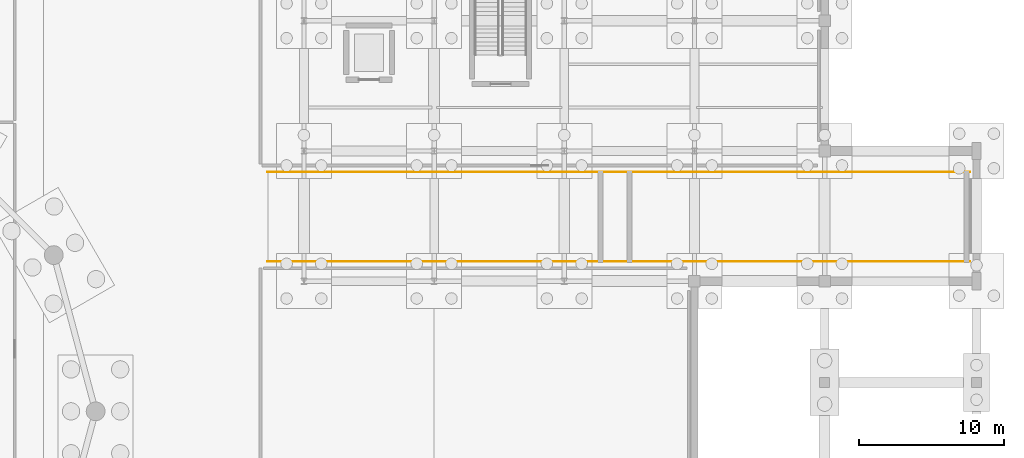
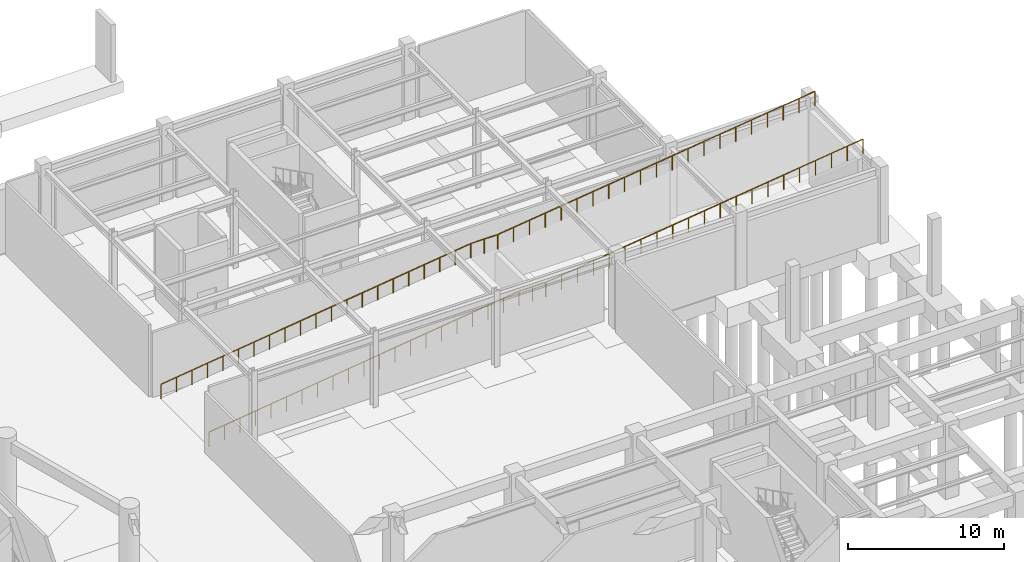
# One storey, part 34 of 36: 2 railings.
"""IFC4 building model written with IfcOpenShell, lengths in metres."""

from ifc_helpers import new_model, si_unit, direction, frame, origin, origin_2d, place, context, subcontext, project, spatial, circle, extrude, material, type_object, element, save


model = new_model("IFC4")

# Units and contexts
model_context = context("Model", 3, precision=1e-05, world=origin(), true_north=direction((0.0, 1.0)))
body_context = subcontext(model_context, "Body", "Model", "MODEL_VIEW")
ifc_project = project(units=[si_unit("LENGTHUNIT", "METRE"), si_unit("AREAUNIT", "SQUARE_METRE"), si_unit("VOLUMEUNIT", "CUBIC_METRE"), si_unit("PLANEANGLEUNIT", "RADIAN"), si_unit("MASSUNIT", "GRAM", prefix="KILO")], contexts=[model_context])

# Site, building, storey
site_placement = place(None, origin())
site = spatial("IfcSite", under=ifc_project, at=site_placement, CompositionType="ELEMENT")
building_placement = place(site_placement, origin())
building = spatial("IfcBuilding", under=site, at=building_placement, Name="Haizhuo Lancet Aquarium", CompositionType="ELEMENT")
storey_placement = place(building_placement, frame((0.0, 0.0, -6.0)))
storey = spatial("IfcBuildingStorey", under=building, at=storey_placement, Name="B1", CompositionType="ELEMENT", Elevation=-6.0)

# Railings
ifc_material = material(Name="Steel S355", Category="steel")
railing_type = type_object("IfcRailingType", Name="RL-GRD-1150", PredefinedType="GUARDRAIL", material=ifc_material)
railing_1_placement = place(storey_placement, frame((33.5, 10.360107421875, 0.0)))
element("IfcRailing", 1, at=railing_1_placement, inside=storey, type_object=railing_type, material=ifc_material, Name="B1 Vehicle Ramp VR-01 edge rail 1", PredefinedType="GUARDRAIL", context=body_context, shape_type="SweptSolid", body=[
    extrude(circle(Radius=0.02392578125, at=origin_2d()), frame((0.02978515625, 0.0, 1.129638671875), z_axis=(0.991600411186, 0.0, 0.129339184068), x_axis=(0.0, 1.0, 0.0)), (0.0, 0.0, 1.0), 23.134765625),
    extrude(circle(Radius=0.02392578125, at=origin_2d()), frame((23.030029296875, 0.0, 4.1259765625), z_axis=(1.0, 0.0, 0.0), x_axis=(0.0, 1.0, 0.0)), (0.0, 0.0, 1.0), 1.93994140625),
    extrude(circle(Radius=0.02392578125, at=origin_2d()), frame((25.02978515625, 0.0, 4.129638671875), z_axis=(0.991983550174, 0.0, 0.126367069225), x_axis=(0.0, 1.0, 0.0)), (0.0, 0.0, 1.0), 23.680419921875),
    extrude(circle(Radius=0.02099609375, at=origin_2d()), origin(), (0.0, 0.0, 1.0), 1.097900390625),
    extrude(circle(Radius=0.02099609375, at=origin_2d()), frame((1.14990234375, 0.0, 0.14990234375)), (0.0, 0.0, 1.0), 1.097900390625),
    extrude(circle(Radius=0.02099609375, at=origin_2d()), frame((2.300048828125, 0.0, 0.300048828125)), (0.0, 0.0, 1.0), 1.097900390625),
    extrude(circle(Radius=0.02099609375, at=origin_2d()), frame((3.449951171875, 0.0, 0.449951171875)), (0.0, 0.0, 1.0), 1.097900390625),
    extrude(circle(Radius=0.02099609375, at=origin_2d()), frame((4.60009765625, 0.0, 0.60009765625)), (0.0, 0.0, 1.0), 1.097900390625),
    extrude(circle(Radius=0.02099609375, at=origin_2d()), frame((5.75, 0.0, 0.75)), (0.0, 0.0, 1.0), 1.097900390625),
    extrude(circle(Radius=0.02099609375, at=origin_2d()), frame((6.89990234375, 0.0, 0.89990234375)), (0.0, 0.0, 1.0), 1.097900390625),
    extrude(circle(Radius=0.02099609375, at=origin_2d()), frame((8.050048828125, 0.0, 1.050048828125)), (0.0, 0.0, 1.0), 1.097900390625),
    extrude(circle(Radius=0.02099609375, at=origin_2d()), frame((9.199951171875, 0.0, 1.199951171875)), (0.0, 0.0, 1.0), 1.097900390625),
    extrude(circle(Radius=0.02099609375, at=origin_2d()), frame((10.35009765625, 0.0, 1.35009765625)), (0.0, 0.0, 1.0), 1.097900390625),
    extrude(circle(Radius=0.02099609375, at=origin_2d()), frame((11.5, 0.0, 1.5)), (0.0, 0.0, 1.0), 1.097900390625),
    extrude(circle(Radius=0.02099609375, at=origin_2d()), frame((12.64990234375, 0.0, 1.64990234375)), (0.0, 0.0, 1.0), 1.097900390625),
    extrude(circle(Radius=0.02099609375, at=origin_2d()), frame((13.800048828125, 0.0, 1.800048828125)), (0.0, 0.0, 1.0), 1.097900390625),
    extrude(circle(Radius=0.02099609375, at=origin_2d()), frame((14.949951171875, 0.0, 1.949951171875)), (0.0, 0.0, 1.0), 1.097900390625),
    extrude(circle(Radius=0.02099609375, at=origin_2d()), frame((16.10009765625, 0.0, 2.10009765625)), (0.0, 0.0, 1.0), 1.097900390625),
    extrude(circle(Radius=0.02099609375, at=origin_2d()), frame((17.25, 0.0, 2.25)), (0.0, 0.0, 1.0), 1.097900390625),
    extrude(circle(Radius=0.02099609375, at=origin_2d()), frame((18.39990234375, 0.0, 2.39990234375)), (0.0, 0.0, 1.0), 1.097900390625),
    extrude(circle(Radius=0.02099609375, at=origin_2d()), frame((19.550048828125, 0.0, 2.550048828125)), (0.0, 0.0, 1.0), 1.097900390625),
    extrude(circle(Radius=0.02099609375, at=origin_2d()), frame((20.699951171875, 0.0, 2.699951171875)), (0.0, 0.0, 1.0), 1.097900390625),
    extrude(circle(Radius=0.02099609375, at=origin_2d()), frame((21.85009765625, 0.0, 2.85009765625)), (0.0, 0.0, 1.0), 1.097900390625),
    extrude(circle(Radius=0.02099609375, at=origin_2d()), frame((23.0, 0.0, 3.0)), (0.0, 0.0, 1.0), 1.097900390625),
    extrude(circle(Radius=0.02099609375, at=origin_2d()), frame((24.0, 0.0, 3.0)), (0.0, 0.0, 1.0), 1.097900390625),
    extrude(circle(Radius=0.02099609375, at=origin_2d()), frame((25.0, 0.0, 3.0)), (0.0, 0.0, 1.0), 1.097900390625),
    extrude(circle(Radius=0.02099609375, at=origin_2d()), frame((26.177490234375, 0.0, 3.14990234375)), (0.0, 0.0, 1.0), 1.097900390625),
    extrude(circle(Radius=0.02099609375, at=origin_2d()), frame((27.35498046875, 0.0, 3.300048828125)), (0.0, 0.0, 1.0), 1.097900390625),
    extrude(circle(Radius=0.02099609375, at=origin_2d()), frame((28.532470703125, 0.0, 3.449951171875)), (0.0, 0.0, 1.0), 1.097900390625),
    extrude(circle(Radius=0.02099609375, at=origin_2d()), frame((29.7099609375, 0.0, 3.60009765625)), (0.0, 0.0, 1.0), 1.097900390625),
    extrude(circle(Radius=0.02099609375, at=origin_2d()), frame((30.887451171875, 0.0, 3.75)), (0.0, 0.0, 1.0), 1.097900390625),
    extrude(circle(Radius=0.02099609375, at=origin_2d()), frame((32.06494140625, 0.0, 3.89990234375)), (0.0, 0.0, 1.0), 1.097900390625),
    extrude(circle(Radius=0.02099609375, at=origin_2d()), frame((33.242431640625, 0.0, 4.050048828125)), (0.0, 0.0, 1.0), 1.097900390625),
    extrude(circle(Radius=0.02099609375, at=origin_2d()), frame((34.419921875, 0.0, 4.199951171875)), (0.0, 0.0, 1.0), 1.097900390625),
    extrude(circle(Radius=0.02099609375, at=origin_2d()), frame((35.597412109375, 0.0, 4.35009765625)), (0.0, 0.0, 1.0), 1.097900390625),
    extrude(circle(Radius=0.02099609375, at=origin_2d()), frame((36.77490234375, 0.0, 4.5)), (0.0, 0.0, 1.0), 1.097900390625),
    extrude(circle(Radius=0.02099609375, at=origin_2d()), frame((37.95263671875, 0.0, 4.64990234375)), (0.0, 0.0, 1.0), 1.097900390625),
    extrude(circle(Radius=0.02099609375, at=origin_2d()), frame((39.130126953125, 0.0, 4.800048828125)), (0.0, 0.0, 1.0), 1.097900390625),
    extrude(circle(Radius=0.02099609375, at=origin_2d()), frame((40.3076171875, 0.0, 4.949951171875)), (0.0, 0.0, 1.0), 1.097900390625),
    extrude(circle(Radius=0.02099609375, at=origin_2d()), frame((41.485107421875, 0.0, 5.10009765625)), (0.0, 0.0, 1.0), 1.097900390625),
    extrude(circle(Radius=0.02099609375, at=origin_2d()), frame((42.66259765625, 0.0, 5.25)), (0.0, 0.0, 1.0), 1.097900390625),
    extrude(circle(Radius=0.02099609375, at=origin_2d()), frame((43.840087890625, 0.0, 5.39990234375)), (0.0, 0.0, 1.0), 1.097900390625),
    extrude(circle(Radius=0.02099609375, at=origin_2d()), frame((45.017578125, 0.0, 5.550048828125)), (0.0, 0.0, 1.0), 1.097900390625),
    extrude(circle(Radius=0.02099609375, at=origin_2d()), frame((46.195068359375, 0.0, 5.699951171875)), (0.0, 0.0, 1.0), 1.097900390625),
    extrude(circle(Radius=0.02099609375, at=origin_2d()), frame((47.37255859375, 0.0, 5.85009765625)), (0.0, 0.0, 1.0), 1.097900390625),
    extrude(circle(Radius=0.02099609375, at=origin_2d()), frame((48.550048828125, 0.0, 6.0)), (0.0, 0.0, 1.0), 1.097900390625),
])
railing_2_placement = place(storey_placement, frame((33.5, 16.5400390625, 0.0)))
element("IfcRailing", 2, at=railing_2_placement, inside=storey, type_object=railing_type, material=ifc_material, Name="B1 Vehicle Ramp VR-01 edge rail 2", PredefinedType="GUARDRAIL", context=body_context, shape_type="SweptSolid", body=[
    extrude(circle(Radius=0.02392578125, at=origin_2d()), frame((0.02978515625, 0.0, 1.129638671875), z_axis=(0.991600411186, 0.0, 0.129339184068), x_axis=(0.0, 1.0, 0.0)), (0.0, 0.0, 1.0), 23.134765625),
    extrude(circle(Radius=0.02392578125, at=origin_2d()), frame((23.030029296875, 0.0, 4.1259765625), z_axis=(1.0, 0.0, 0.0), x_axis=(0.0, 1.0, 0.0)), (0.0, 0.0, 1.0), 1.93994140625),
    extrude(circle(Radius=0.02392578125, at=origin_2d()), frame((25.02978515625, 0.0, 4.129638671875), z_axis=(0.991983550174, 0.0, 0.126367069225), x_axis=(0.0, 1.0, 0.0)), (0.0, 0.0, 1.0), 23.680419921875),
    extrude(circle(Radius=0.02099609375, at=origin_2d()), origin(), (0.0, 0.0, 1.0), 1.097900390625),
    extrude(circle(Radius=0.02099609375, at=origin_2d()), frame((1.14990234375, 0.0, 0.14990234375)), (0.0, 0.0, 1.0), 1.097900390625),
    extrude(circle(Radius=0.02099609375, at=origin_2d()), frame((2.300048828125, 0.0, 0.300048828125)), (0.0, 0.0, 1.0), 1.097900390625),
    extrude(circle(Radius=0.02099609375, at=origin_2d()), frame((3.449951171875, 0.0, 0.449951171875)), (0.0, 0.0, 1.0), 1.097900390625),
    extrude(circle(Radius=0.02099609375, at=origin_2d()), frame((4.60009765625, 0.0, 0.60009765625)), (0.0, 0.0, 1.0), 1.097900390625),
    extrude(circle(Radius=0.02099609375, at=origin_2d()), frame((5.75, 0.0, 0.75)), (0.0, 0.0, 1.0), 1.097900390625),
    extrude(circle(Radius=0.02099609375, at=origin_2d()), frame((6.89990234375, 0.0, 0.89990234375)), (0.0, 0.0, 1.0), 1.097900390625),
    extrude(circle(Radius=0.02099609375, at=origin_2d()), frame((8.050048828125, 0.0, 1.050048828125)), (0.0, 0.0, 1.0), 1.097900390625),
    extrude(circle(Radius=0.02099609375, at=origin_2d()), frame((9.199951171875, 0.0, 1.199951171875)), (0.0, 0.0, 1.0), 1.097900390625),
    extrude(circle(Radius=0.02099609375, at=origin_2d()), frame((10.35009765625, 0.0, 1.35009765625)), (0.0, 0.0, 1.0), 1.097900390625),
    extrude(circle(Radius=0.02099609375, at=origin_2d()), frame((11.5, 0.0, 1.5)), (0.0, 0.0, 1.0), 1.097900390625),
    extrude(circle(Radius=0.02099609375, at=origin_2d()), frame((12.64990234375, 0.0, 1.64990234375)), (0.0, 0.0, 1.0), 1.097900390625),
    extrude(circle(Radius=0.02099609375, at=origin_2d()), frame((13.800048828125, 0.0, 1.800048828125)), (0.0, 0.0, 1.0), 1.097900390625),
    extrude(circle(Radius=0.02099609375, at=origin_2d()), frame((14.949951171875, 0.0, 1.949951171875)), (0.0, 0.0, 1.0), 1.097900390625),
    extrude(circle(Radius=0.02099609375, at=origin_2d()), frame((16.10009765625, 0.0, 2.10009765625)), (0.0, 0.0, 1.0), 1.097900390625),
    extrude(circle(Radius=0.02099609375, at=origin_2d()), frame((17.25, 0.0, 2.25)), (0.0, 0.0, 1.0), 1.097900390625),
    extrude(circle(Radius=0.02099609375, at=origin_2d()), frame((18.39990234375, 0.0, 2.39990234375)), (0.0, 0.0, 1.0), 1.097900390625),
    extrude(circle(Radius=0.02099609375, at=origin_2d()), frame((19.550048828125, 0.0, 2.550048828125)), (0.0, 0.0, 1.0), 1.097900390625),
    extrude(circle(Radius=0.02099609375, at=origin_2d()), frame((20.699951171875, 0.0, 2.699951171875)), (0.0, 0.0, 1.0), 1.097900390625),
    extrude(circle(Radius=0.02099609375, at=origin_2d()), frame((21.85009765625, 0.0, 2.85009765625)), (0.0, 0.0, 1.0), 1.097900390625),
    extrude(circle(Radius=0.02099609375, at=origin_2d()), frame((23.0, 0.0, 3.0)), (0.0, 0.0, 1.0), 1.097900390625),
    extrude(circle(Radius=0.02099609375, at=origin_2d()), frame((24.0, 0.0, 3.0)), (0.0, 0.0, 1.0), 1.097900390625),
    extrude(circle(Radius=0.02099609375, at=origin_2d()), frame((25.0, 0.0, 3.0)), (0.0, 0.0, 1.0), 1.097900390625),
    extrude(circle(Radius=0.02099609375, at=origin_2d()), frame((26.177490234375, 0.0, 3.14990234375)), (0.0, 0.0, 1.0), 1.097900390625),
    extrude(circle(Radius=0.02099609375, at=origin_2d()), frame((27.35498046875, 0.0, 3.300048828125)), (0.0, 0.0, 1.0), 1.097900390625),
    extrude(circle(Radius=0.02099609375, at=origin_2d()), frame((28.532470703125, 0.0, 3.449951171875)), (0.0, 0.0, 1.0), 1.097900390625),
    extrude(circle(Radius=0.02099609375, at=origin_2d()), frame((29.7099609375, 0.0, 3.60009765625)), (0.0, 0.0, 1.0), 1.097900390625),
    extrude(circle(Radius=0.02099609375, at=origin_2d()), frame((30.887451171875, 0.0, 3.75)), (0.0, 0.0, 1.0), 1.097900390625),
    extrude(circle(Radius=0.02099609375, at=origin_2d()), frame((32.06494140625, 0.0, 3.89990234375)), (0.0, 0.0, 1.0), 1.097900390625),
    extrude(circle(Radius=0.02099609375, at=origin_2d()), frame((33.242431640625, 0.0, 4.050048828125)), (0.0, 0.0, 1.0), 1.097900390625),
    extrude(circle(Radius=0.02099609375, at=origin_2d()), frame((34.419921875, 0.0, 4.199951171875)), (0.0, 0.0, 1.0), 1.097900390625),
    extrude(circle(Radius=0.02099609375, at=origin_2d()), frame((35.597412109375, 0.0, 4.35009765625)), (0.0, 0.0, 1.0), 1.097900390625),
    extrude(circle(Radius=0.02099609375, at=origin_2d()), frame((36.77490234375, 0.0, 4.5)), (0.0, 0.0, 1.0), 1.097900390625),
    extrude(circle(Radius=0.02099609375, at=origin_2d()), frame((37.95263671875, 0.0, 4.64990234375)), (0.0, 0.0, 1.0), 1.097900390625),
    extrude(circle(Radius=0.02099609375, at=origin_2d()), frame((39.130126953125, 0.0, 4.800048828125)), (0.0, 0.0, 1.0), 1.097900390625),
    extrude(circle(Radius=0.02099609375, at=origin_2d()), frame((40.3076171875, 0.0, 4.949951171875)), (0.0, 0.0, 1.0), 1.097900390625),
    extrude(circle(Radius=0.02099609375, at=origin_2d()), frame((41.485107421875, 0.0, 5.10009765625)), (0.0, 0.0, 1.0), 1.097900390625),
    extrude(circle(Radius=0.02099609375, at=origin_2d()), frame((42.66259765625, 0.0, 5.25)), (0.0, 0.0, 1.0), 1.097900390625),
    extrude(circle(Radius=0.02099609375, at=origin_2d()), frame((43.840087890625, 0.0, 5.39990234375)), (0.0, 0.0, 1.0), 1.097900390625),
    extrude(circle(Radius=0.02099609375, at=origin_2d()), frame((45.017578125, 0.0, 5.550048828125)), (0.0, 0.0, 1.0), 1.097900390625),
    extrude(circle(Radius=0.02099609375, at=origin_2d()), frame((46.195068359375, 0.0, 5.699951171875)), (0.0, 0.0, 1.0), 1.097900390625),
    extrude(circle(Radius=0.02099609375, at=origin_2d()), frame((47.37255859375, 0.0, 5.85009765625)), (0.0, 0.0, 1.0), 1.097900390625),
    extrude(circle(Radius=0.02099609375, at=origin_2d()), frame((48.550048828125, 0.0, 6.0)), (0.0, 0.0, 1.0), 1.097900390625),
])

save(model, "model.ifc")
